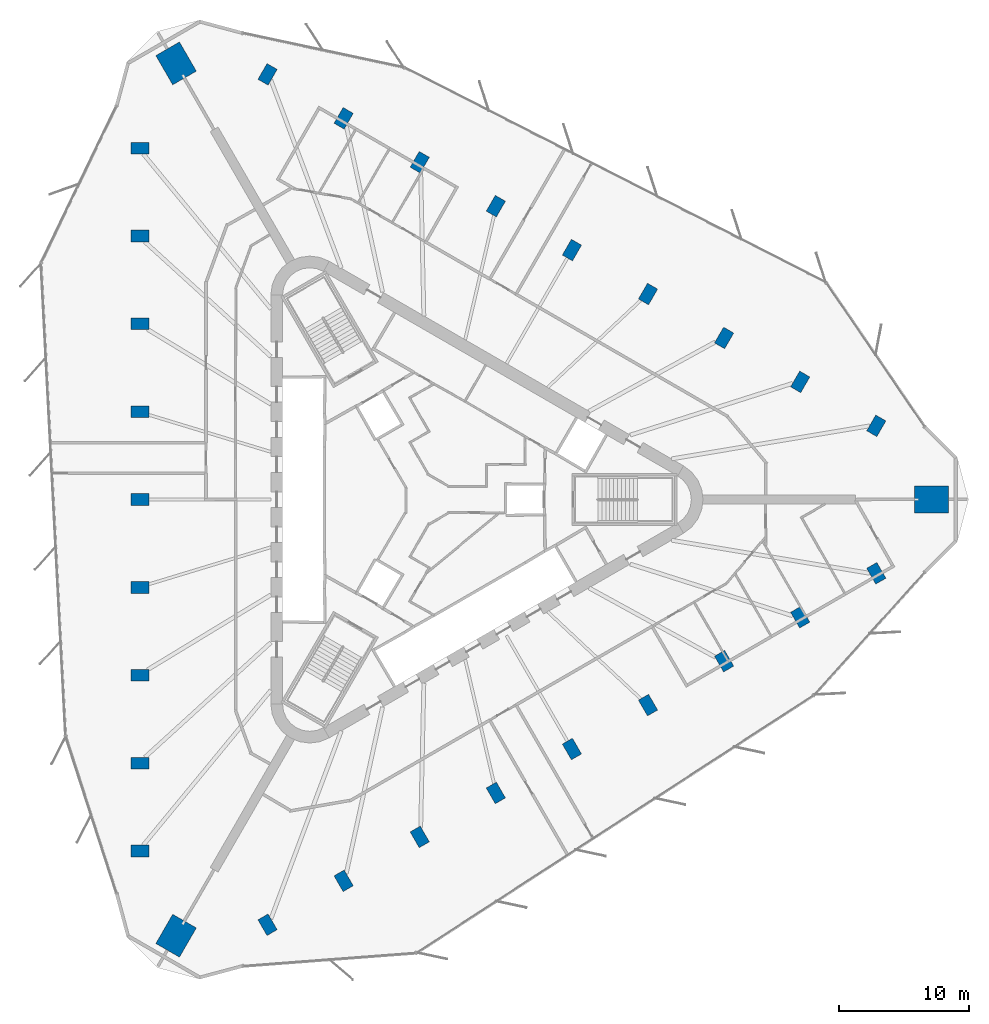
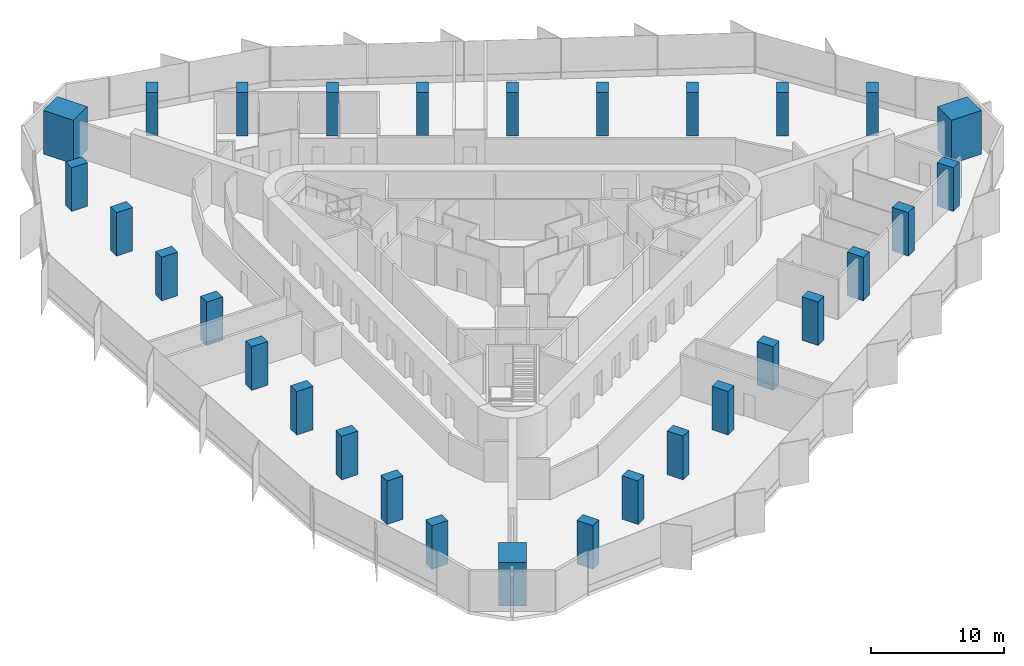
# One storey, part 1 of 14: 30 columns.
"""IFC4 building model written with IfcOpenShell, lengths in metres."""

import ifcopenshell
import ifcopenshell.guid

model = None  # the IFC model being written
_history = None  # IfcOwnerHistory: only IFC2X3 demands one
_inside = {}  # id of a spatial element -> (the spatial element, [elements in it])
_under = {}  # id of a project, library or spatial element -> (it, [spatial elements below it])
_declared = {}  # id of a project -> (the project, [libraries it declares])
_typed = {}  # id of a type object -> (the type object, [elements of that type])
_made_of = {}  # id of a material, layer set ... -> (it, [elements and type objects made of it])


def new_model(schema):
    """Start an empty IFC model of exactly this schema.

    Asked for "IFC4X3", IfcOpenShell would pick the latest addendum, in which some entities
    have other attributes; the version numbers below select the first issue.
    IFC2X3 requires an IfcOwnerHistory on every rooted entity: one is made here for all.
    """
    global model, _history
    if schema == "IFC4X3":
        model = ifcopenshell.file(schema_version=(4, 3, 0, 0))
    else:
        model = ifcopenshell.file(schema=schema)
    _inside.clear()
    _under.clear()
    _declared.clear()
    _typed.clear()
    _made_of.clear()
    _history = None
    if model.schema == "IFC2X3":
        org = make("IfcOrganization", Name="unknown")
        user = make(
            "IfcPersonAndOrganization",
            ThePerson=make("IfcPerson", FamilyName="unknown"),
            TheOrganization=org,
        )
        app = make(
            "IfcApplication",
            ApplicationDeveloper=org,
            Version="unknown",
            ApplicationFullName="unknown",
            ApplicationIdentifier="unknown",
        )
        _history = make(
            "IfcOwnerHistory",
            OwningUser=user,
            OwningApplication=app,
            ChangeAction="ADDED",
            CreationDate=0,
        )
    return model


def make(cls, **values):
    """One entity of the class cls with the attributes given. An attribute that is None is left unset."""
    return model.create_entity(
        cls, **{name: value for name, value in values.items() if value is not None}
    )


def rooted(cls, **values):
    """An entity with a GlobalId (a new one), such as an element, a storey or a relation."""
    return make(cls, GlobalId=ifcopenshell.guid.new(), OwnerHistory=_history, **values)


def si_unit(unit_type, name, prefix=None):
    """IfcSIUnit, for example si_unit("LENGTHUNIT", "METRE", prefix="MILLI")."""
    return make("IfcSIUnit", UnitType=unit_type, Prefix=prefix, Name=name)


def assignment(units):
    """IfcUnitAssignment: the units of a project."""
    return None if units is None else make("IfcUnitAssignment", Units=units)


def point(xyz):
    """IfcCartesianPoint."""
    return None if xyz is None else make("IfcCartesianPoint", Coordinates=xyz)


def direction(xyz):
    """IfcDirection."""
    return None if xyz is None else make("IfcDirection", DirectionRatios=xyz)


def frame(location, z_axis=None, x_axis=None):
    """IfcAxis2Placement3D, a coordinate frame: its origin and axes. An axis left out is left unset."""
    return make(
        "IfcAxis2Placement3D",
        Location=point(location),
        Axis=direction(z_axis),
        RefDirection=direction(x_axis),
    )


def frame_2d(location, x_axis=None):
    """IfcAxis2Placement2D, a coordinate frame in the plane: its origin and x axis."""
    return make(
        "IfcAxis2Placement2D", Location=point(location), RefDirection=direction(x_axis)
    )


def origin():
    """The frame at (0, 0, 0) with its axes left unset."""
    return frame((0.0, 0.0, 0.0))


def origin_2d():
    """The frame at (0, 0) in the plane with its x axis left unset."""
    return frame_2d((0.0, 0.0))


def place(relative_to, where):
    """IfcLocalPlacement: puts the frame where relative to a parent placement (None: the world)."""
    return make(
        "IfcLocalPlacement", PlacementRelTo=relative_to, RelativePlacement=where
    )


def context(
    kind, dimensions, precision=None, world=None, true_north=None, identifier=None
):
    """IfcGeometricRepresentationContext, for example the 3D "Model" context."""
    return make(
        "IfcGeometricRepresentationContext",
        ContextIdentifier=identifier,
        ContextType=kind,
        CoordinateSpaceDimension=dimensions,
        Precision=precision,
        WorldCoordinateSystem=world,
        TrueNorth=true_north,
    )


def subcontext(parent, identifier, kind, view, scale=None):
    """IfcGeometricRepresentationSubContext, for example "Body" below "Model"."""
    return make(
        "IfcGeometricRepresentationSubContext",
        ContextIdentifier=identifier,
        ContextType=kind,
        ParentContext=parent,
        TargetScale=scale,
        TargetView=view,
    )


def project(units=None, contexts=None):
    """IfcProject with its units and contexts."""
    return rooted(
        "IfcProject",
        Name="project",
        RepresentationContexts=contexts,
        UnitsInContext=assignment(units),
    )


def spatial(cls, under=None, at=None, **own):
    """A site, building, storey or space (cls), placed at a placement, below another one or the project."""
    s = rooted(cls, ObjectPlacement=at, **own)
    if under is not None:
        _under.setdefault(under.id(), (under, []))[1].append(s)
    return s


def profile(cls, at=None, kind="AREA", **sizes):
    """A parametric profile (cls). Its sizes go by their IFC names, for example OverallWidth=200.0."""
    return make(cls, ProfileType=kind, Position=at, **sizes)


def rectangle(**sizes):
    """IfcRectangleProfileDef."""
    return profile("IfcRectangleProfileDef", **sizes)


def extrude(swept, where, along, depth):
    """IfcExtrudedAreaSolid: the profile swept, set in the frame where, extruded along a direction by depth."""
    return make(
        "IfcExtrudedAreaSolid",
        SweptArea=swept,
        Position=where,
        ExtrudedDirection=direction(along),
        Depth=depth,
    )


def shape(context_of_items, identifier, shape_type, items):
    """IfcShapeRepresentation: the items that make up one representation, for example the "Body"."""
    return make(
        "IfcShapeRepresentation",
        ContextOfItems=context_of_items,
        RepresentationIdentifier=identifier,
        RepresentationType=shape_type,
        Items=items,
    )


def material(Name=None, Category=None):
    """IfcMaterial."""
    return make("IfcMaterial", Name=Name, Category=Category)


def material_profile(
    of_material, cross_section, Name=None, Category=None, Priority=None
):
    """IfcMaterialProfile: a cross section and its material."""
    return make(
        "IfcMaterialProfile",
        Name=Name,
        Material=of_material,
        Profile=cross_section,
        Priority=Priority,
        Category=Category,
    )


def profile_set(profiles, Name=None, composite=None):
    """IfcMaterialProfileSet."""
    return make(
        "IfcMaterialProfileSet",
        Name=Name,
        MaterialProfiles=profiles,
        CompositeProfile=composite,
    )


def made_of(thing, what):
    """Note that an element or type object is made of a material, layer set ...; save() writes the relation."""
    if what is not None:
        _made_of.setdefault(what.id(), (what, []))[1].append(thing)
    return thing


def type_object(cls, material=None, **own):
    """A type object (cls), such as IfcWallType, which elements share."""
    return made_of(rooted(cls, **own), material)


def element(
    cls,
    number,
    at=None,
    inside=None,
    cuts=None,
    type_object=None,
    material=None,
    context=None,
    identifier="Body",
    shape_type=None,
    held_by="IfcProductDefinitionShape",
    body=None,
    shapes=None,
    **own,
):
    """One element of the class cls, such as IfcWall. Its Tag is "e" and its number.

    at: its placement. inside: the storey or other place that contains it. cuts: it is an
    opening in that element (IfcRelVoidsElement). A single representation is given by context,
    identifier, shape_type and body (its items); several are given by shapes. held_by: the class
    of the entity that holds the representations. save() writes the other relations.
    """
    e = rooted(cls, Tag="e%d" % number, ObjectPlacement=at, **own)
    if body is not None:
        shapes = [shape(context, identifier, shape_type, body)]
    if shapes is not None:
        e.Representation = make(held_by, Representations=shapes)
    if inside is not None:
        _inside.setdefault(inside.id(), (inside, []))[1].append(e)
    if cuts is not None:
        rooted(
            "IfcRelVoidsElement", RelatingBuildingElement=cuts, RelatedOpeningElement=e
        )
    if type_object is not None:
        _typed.setdefault(type_object.id(), (type_object, []))[1].append(e)
    return made_of(e, material)


def aggregate(whole, parts):
    """IfcRelAggregates: a whole, such as a stair, and the parts it consists of."""
    return rooted("IfcRelAggregates", RelatingObject=whole, RelatedObjects=parts)


def save(model, path):
    """Write the relations noted so far, then the file.

    IfcRelAggregates (storeys below a building ...), IfcRelContainedInSpatialStructure (elements
    in a storey), IfcRelDefinesByType, IfcRelAssociatesMaterial and IfcRelDeclares: one each for
    every whole, place, type object, material and project.
    """
    for whole, parts in _under.values():
        aggregate(whole, parts)
    for where, things in _inside.values():
        rooted(
            "IfcRelContainedInSpatialStructure",
            RelatedElements=things,
            RelatingStructure=where,
        )
    for kind, things in _typed.values():
        rooted("IfcRelDefinesByType", RelatedObjects=things, RelatingType=kind)
    for what, things in _made_of.values():
        rooted("IfcRelAssociatesMaterial", RelatedObjects=things, RelatingMaterial=what)
    for by, libraries in _declared.values():
        rooted("IfcRelDeclares", RelatingContext=by, RelatedDefinitions=libraries)
    model.write(path)


model = new_model("IFC4")

# Units and contexts
model_context = context("Model", 3, precision=1e-05, world=origin(), true_north=direction((0.0, 1.0)))
body_context = subcontext(model_context, "Body", "Model", "MODEL_VIEW")
ifc_project = project(units=[si_unit("LENGTHUNIT", "METRE"), si_unit("AREAUNIT", "SQUARE_METRE"), si_unit("VOLUMEUNIT", "CUBIC_METRE"), si_unit("PLANEANGLEUNIT", "RADIAN"), si_unit("MASSUNIT", "GRAM", prefix="KILO")], contexts=[model_context])

# Site, building, storey
site_placement = place(None, origin())
site = spatial("IfcSite", under=ifc_project, at=site_placement, CompositionType="ELEMENT")
building_placement = place(site_placement, origin())
building = spatial("IfcBuilding", under=site, at=building_placement, Name="Tanit Gate Tower", CompositionType="ELEMENT")
storey_placement = place(building_placement, frame((0.0, 0.0, 205.199951171875)))
storey = spatial("IfcBuildingStorey", under=building, at=storey_placement, Name="L45", CompositionType="ELEMENT", Elevation=205.199951171875)

# Columns
ifc_material_1 = material(Name="Concrete C60/75", Category="concrete")
ifc_material_profile_1 = material_profile(ifc_material_1, rectangle(XDim=2.60009765625, YDim=2.10009765625, at=origin_2d()), Name="RC 2600x2100")
ifc_profile_set_1 = profile_set([ifc_material_profile_1], Name="Concrete C60/75")
column_type_1 = type_object("IfcColumnType", Name="MEGA COLUMN 2600x2100 C60/75", PredefinedType="COLUMN", material=ifc_profile_set_1)
for number, where, z_axis, x_axis, name in (
    (1, (38.81103515625, 0.0, 0.0), (0.0, 0.0, 1.0), (1.0, 0.0, 0.0), "MEGA COLUMN"),
    (2, (-19.405517578125, 33.611328125, 0.0), (0.0, 0.0, 1.0), (-0.5, 0.866025403784, 0.0), "MEGA COLUMN"),
    (3, (-19.405517578125, -33.611328125, 0.0), (0.0, 0.0, 1.0), (-0.5, -0.866025403784, 0.0), "MEGA COLUMN"),
):
    element("IfcColumn", number, at=place(storey_placement, frame(where, z_axis=z_axis, x_axis=x_axis)), inside=storey, type_object=column_type_1, Name=name, PredefinedType="COLUMN", context=body_context, shape_type="SweptSolid", body=[
        extrude(rectangle(XDim=2.60009765625, YDim=2.10009765625, at=origin_2d()), origin(), (0.0, 0.0, 1.0), 4.0),
    ])
ifc_material_2 = material(Name="Concrete C50/60", Category="concrete")
ifc_material_profile_2 = material_profile(ifc_material_2, rectangle(XDim=1.39990234375, YDim=0.89990234375, at=origin_2d()), Name="RC 1400x900")
ifc_profile_set_2 = profile_set([ifc_material_profile_2], Name="Concrete C50/60")
column_type_2 = type_object("IfcColumnType", Name="PERIMETER COLUMN 1400x900 C50/60", PredefinedType="COLUMN", material=ifc_profile_set_2)
for number, where, z_axis, x_axis, name in (
    (4, (-22.197021484375, 27.083984375, 0.0), (0.0, 0.0, 1.0), (-1.0, 0.0, 0.0), "PERIMETER COLUMN"),
    (5, (-22.197021484375, 20.31298828125, 0.0), (0.0, 0.0, 1.0), (-1.0, 0.0, 0.0), "PERIMETER COLUMN"),
    (6, (-22.197021484375, 13.5419921875, 0.0), (0.0, 0.0, 1.0), (-1.0, 0.0, 0.0), "PERIMETER COLUMN"),
    (7, (-22.197021484375, 6.77099609375, 0.0), (0.0, 0.0, 1.0), (-1.0, 0.0, 0.0), "PERIMETER COLUMN"),
    (8, (-22.197021484375, 0.0, 0.0), (0.0, 0.0, 1.0), (-1.0, 0.0, 0.0), "PERIMETER COLUMN"),
    (9, (-22.197021484375, -6.77099609375, 0.0), (0.0, 0.0, 1.0), (-1.0, 0.0, 0.0), "PERIMETER COLUMN"),
    (10, (-22.197021484375, -13.5419921875, 0.0), (0.0, 0.0, 1.0), (-1.0, 0.0, 0.0), "PERIMETER COLUMN"),
    (11, (-22.197021484375, -20.31298828125, 0.0), (0.0, 0.0, 1.0), (-1.0, 0.0, 0.0), "PERIMETER COLUMN"),
    (12, (-22.197021484375, -27.083984375, 0.0), (0.0, 0.0, 1.0), (-1.0, 0.0, 0.0), "PERIMETER COLUMN"),
    (13, (34.5537109375, 5.68115234375, 0.0), (0.0, 0.0, 1.0), (0.5, 0.866025403784, 0.0), "PERIMETER COLUMN"),
    (14, (28.68994140625, 9.066650390625, 0.0), (0.0, 0.0, 1.0), (0.5, 0.866025403784, 0.0), "PERIMETER COLUMN"),
    (15, (22.826171875, 12.4521484375, 0.0), (0.0, 0.0, 1.0), (0.5, 0.866025403784, 0.0), "PERIMETER COLUMN"),
    (16, (16.96240234375, 15.837646484375, 0.0), (0.0, 0.0, 1.0), (0.5, 0.866025403784, 0.0), "PERIMETER COLUMN"),
    (17, (11.098388671875, 19.22314453125, 0.0), (0.0, 0.0, 1.0), (0.5, 0.866025403784, 0.0), "PERIMETER COLUMN"),
    (18, (5.234619140625, 22.608642578125, 0.0), (0.0, 0.0, 1.0), (0.5, 0.866025403784, 0.0), "PERIMETER COLUMN"),
    (19, (-0.629150390625, 25.994140625, 0.0), (0.0, 0.0, 1.0), (0.5, 0.866025403784, 0.0), "PERIMETER COLUMN"),
    (20, (-6.4931640625, 29.379638671875, 0.0), (0.0, 0.0, 1.0), (0.5, 0.866025403784, 0.0), "PERIMETER COLUMN"),
    (21, (-12.35693359375, 32.76513671875, 0.0), (0.0, 0.0, 1.0), (0.5, 0.866025403784, 0.0), "PERIMETER COLUMN"),
    (22, (-12.35693359375, -32.76513671875, 0.0), (0.0, 0.0, 1.0), (0.5, -0.866025403784, 0.0), "PERIMETER COLUMN"),
    (23, (-6.4931640625, -29.379638671875, 0.0), (0.0, 0.0, 1.0), (0.5, -0.866025403784, 0.0), "PERIMETER COLUMN"),
    (24, (-0.629150390625, -25.994140625, 0.0), (0.0, 0.0, 1.0), (0.5, -0.866025403784, 0.0), "PERIMETER COLUMN"),
    (25, (5.234619140625, -22.608642578125, 0.0), (0.0, 0.0, 1.0), (0.5, -0.866025403784, 0.0), "PERIMETER COLUMN"),
    (26, (11.098388671875, -19.22314453125, 0.0), (0.0, 0.0, 1.0), (0.5, -0.866025403784, 0.0), "PERIMETER COLUMN"),
    (27, (16.96240234375, -15.837646484375, 0.0), (0.0, 0.0, 1.0), (0.5, -0.866025403784, 0.0), "PERIMETER COLUMN"),
    (28, (22.826171875, -12.4521484375, 0.0), (0.0, 0.0, 1.0), (0.5, -0.866025403784, 0.0), "PERIMETER COLUMN"),
    (29, (28.68994140625, -9.066650390625, 0.0), (0.0, 0.0, 1.0), (0.5, -0.866025403784, 0.0), "PERIMETER COLUMN"),
    (30, (34.5537109375, -5.68115234375, 0.0), (0.0, 0.0, 1.0), (0.5, -0.866025403784, 0.0), "PERIMETER COLUMN"),
):
    element("IfcColumn", number, at=place(storey_placement, frame(where, z_axis=z_axis, x_axis=x_axis)), inside=storey, type_object=column_type_2, Name=name, PredefinedType="COLUMN", context=body_context, shape_type="SweptSolid", body=[
        extrude(rectangle(XDim=1.39990234375, YDim=0.89990234375, at=origin_2d()), origin(), (0.0, 0.0, 1.0), 4.0),
    ])

save(model, "model.ifc")
